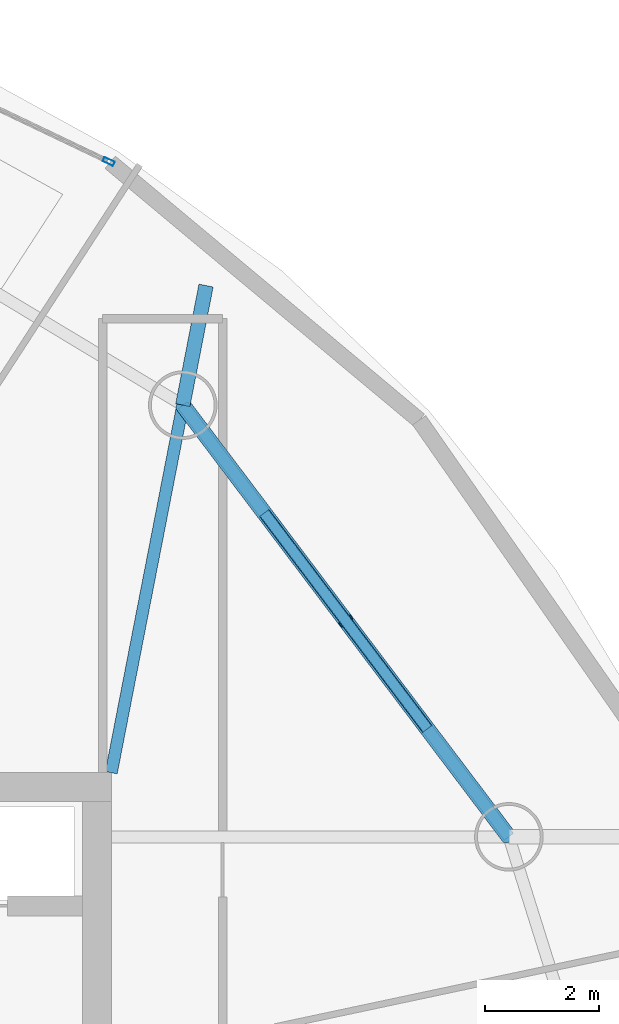
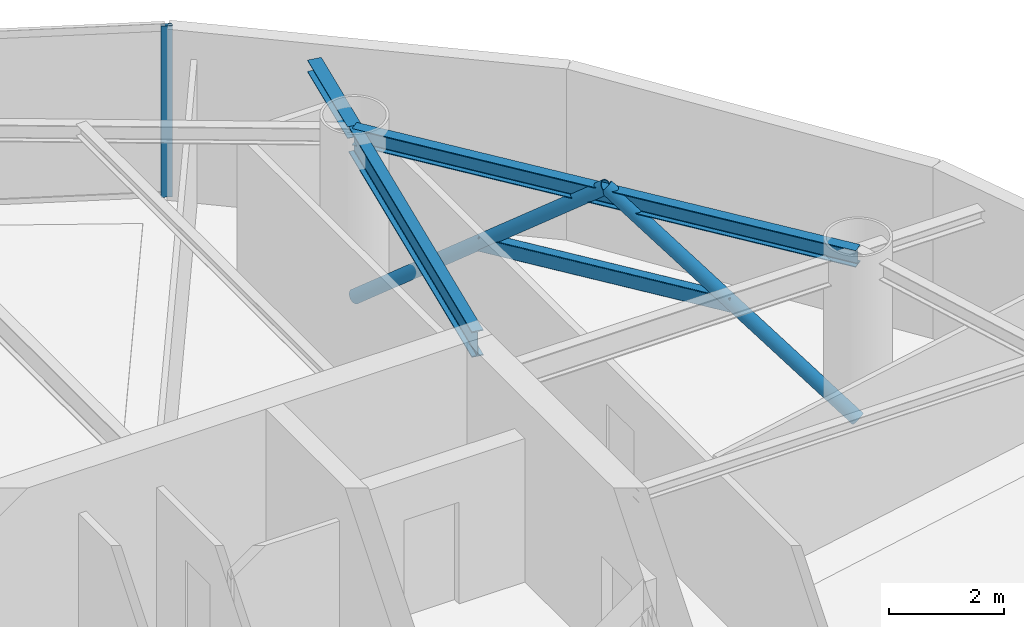
# One storey, part 14 of 22: 4 members, 3 beams, 1 element without a shape of its own.
"""IFC4 building model written with IfcOpenShell, lengths in metres."""

from ifc_helpers import new_model, si_unit, direction, frame, origin, origin_2d, place, context, subcontext, project, spatial, hollow_rectangle, hollow_circle, i_section, extrude, material, layer, layer_set, material_profile, profile_set, type_object, element, aggregate, save


model = new_model("IFC4")

# Units and contexts
model_context = context("Model", 3, precision=1e-05, world=origin(), true_north=direction((0.0, 1.0)))
body_context = subcontext(model_context, "Body", "Model", "MODEL_VIEW")
ifc_project = project(units=[si_unit("LENGTHUNIT", "METRE"), si_unit("AREAUNIT", "SQUARE_METRE"), si_unit("VOLUMEUNIT", "CUBIC_METRE"), si_unit("PLANEANGLEUNIT", "RADIAN"), si_unit("MASSUNIT", "GRAM", prefix="KILO")], contexts=[model_context])

# Site, building, storey
site_placement = place(None, origin())
site = spatial("IfcSite", under=ifc_project, at=site_placement, CompositionType="ELEMENT")
building_placement = place(site_placement, origin())
building = spatial("IfcBuilding", under=site, at=building_placement, Name="Bramvorn Convention Spire", CompositionType="ELEMENT")
storey_placement = place(building_placement, frame((0.0, 0.0, 221.25)))
storey = spatial("IfcBuildingStorey", under=building, at=storey_placement, Name="L56", CompositionType="ELEMENT", Elevation=221.25)

# Beams
ifc_material_1 = material(Name="Steel CSA G40.21 Grade 350 (350W)", Category="steel")
ifc_material_profile_1 = material_profile(ifc_material_1, i_section(OverallWidth=0.25390625, OverallDepth=0.2529296875, WebThickness=0.008544921875, FlangeThickness=0.01416015625, FilletRadius=0.011962890625, at=origin_2d()))
ifc_profile_set_1 = profile_set([ifc_material_profile_1], Name="Steel CSA G40.21 Grade 350 (350W) - W250X73")
beam_type_1 = type_object("IfcBeamType", Name="BM-W250X73", PredefinedType="BEAM", material=ifc_profile_set_1)
beam_1_placement = place(storey_placement, frame((50.501953125, 39.885009765625, 3.493408203125), z_axis=(0.190961587033, 0.981597510326, 0.0), x_axis=(-0.981597510326, 0.190961587033, 0.0)))
element("IfcBeam", 1, at=beam_1_placement, inside=storey, type_object=beam_type_1, Name="L56 slab-edge cantilever tip beam MC05", PredefinedType="BEAM", context=body_context, shape_type="SweptSolid", body=[
    extrude(i_section(OverallWidth=0.25390625, OverallDepth=0.2529296875, WebThickness=0.008544921875, FlangeThickness=0.01416015625, FilletRadius=0.011962890625, at=origin_2d()), origin(), (0.0, 0.0, 1.0), 2.132568359375),
])
ifc_material_profile_2 = material_profile(ifc_material_1, i_section(OverallWidth=0.205078125, OverallDepth=0.35400390625, WebThickness=0.009521484375, FlangeThickness=0.016845703125, FilletRadius=0.014892578125, at=origin_2d()))
ifc_profile_set_2 = profile_set([ifc_material_profile_2], Name="Steel CSA G40.21 Grade 350 (350W) - W360X79")
beam_type_2 = type_object("IfcBeamType", Name="BM-W360X79", PredefinedType="JOIST", material=ifc_profile_set_2)
beam_2_placement = place(storey_placement, frame((56.21044921875, 32.327392578125, 3.443115234375), z_axis=(-0.602718581414, 0.797953827999, 0.0), x_axis=(-0.797953827999, -0.602718581414, 0.0)))
element("IfcBeam", 2, at=beam_2_placement, inside=storey, type_object=beam_type_2, Name="L56 mega-column ring beam 04", PredefinedType="JOIST", context=body_context, shape_type="SweptSolid", body=[
    extrude(i_section(OverallWidth=0.205078125, OverallDepth=0.35400390625, WebThickness=0.009521484375, FlangeThickness=0.016845703125, FilletRadius=0.014892578125, at=origin_2d()), origin(), (0.0, 0.0, 1.0), 9.47119140625),
])
ifc_material_profile_3 = material_profile(ifc_material_1, i_section(OverallWidth=0.2119140625, OverallDepth=0.5439453125, WebThickness=0.01318359375, FlangeThickness=0.021240234375, FilletRadius=0.01904296875, at=origin_2d()))
ifc_profile_set_3 = profile_set([ifc_material_profile_3], Name="Steel CSA G40.21 Grade 350 (350W) - W530X123")
beam_type_3 = type_object("IfcBeamType", Name="BM-W530X123", PredefinedType="BEAM", material=ifc_profile_set_3)
beam_3_placement = place(storey_placement, frame((49.25, 33.449951171875, 3.347900390625), z_axis=(0.190971329886, 0.981595614885, 0.0), x_axis=(-0.981595614885, 0.190971329886, 0.0)))
element("IfcBeam", 3, at=beam_3_placement, inside=storey, type_object=beam_type_3, Name="L56 radial floor girder MC05", PredefinedType="BEAM", context=body_context, shape_type="SweptSolid", body=[
    extrude(i_section(OverallWidth=0.2119140625, OverallDepth=0.5439453125, WebThickness=0.01318359375, FlangeThickness=0.021240234375, FilletRadius=0.01904296875, at=origin_2d()), origin(), (0.0, 0.0, 1.0), 6.5556640625),
])

# Curtain wall, member
ifc_material_2 = material(Name="Anodised Bronze Unitised Curtain Wall", Category="aluminium")
ifc_layer = layer(ifc_material_2, 0.179931640625)
ifc_layer_set = layer_set([ifc_layer], Name="Anodised Bronze Unitised Curtain Wall - CW-OFF-FRIT")
curtain_wall_type = type_object("IfcCurtainWallType", Name="CW-OFF-FRIT", PredefinedType="USERDEFINED", material=ifc_layer_set)
curtain_wall_placement = place(storey_placement, origin())
curtain_wall = element("IfcCurtainWall", 4, at=curtain_wall_placement, inside=storey, type_object=curtain_wall_type, Name="L56 fritted glass curtain wall 08", ObjectType="UNITISED CURTAIN WALL", PredefinedType="USERDEFINED")
ifc_material_3 = material(Name="Anodised Bronze Aluminium 6063-T6", Category="aluminium")
ifc_material_profile_4 = material_profile(ifc_material_3, hollow_rectangle(XDim=0.080078125, YDim=0.199951171875, WallThickness=0.00390625, InnerFilletRadius=0.0009765625, OuterFilletRadius=0.00390625, at=origin_2d()))
ifc_profile_set_4 = profile_set([ifc_material_profile_4], Name="Anodised Bronze Aluminium 6063-T6 - CWM80X200")
member_type_1 = type_object("IfcMemberType", Name="CW-MUL-180", PredefinedType="MULLION", material=ifc_profile_set_4)
member_1_placement = place(storey_placement, frame((49.20458984375, 44.1484375, 0.0), z_axis=(0.0, 0.0, 1.0), x_axis=(0.430659156923, 0.90251464839, 0.0)))
member_1 = element("IfcMember", 5, at=member_1_placement, type_object=member_type_1, Name="CW3 mullion 2", PredefinedType="MULLION", context=body_context, shape_type="SweptSolid", body=[
    extrude(hollow_rectangle(XDim=0.080078125, YDim=0.199951171875, WallThickness=0.00390625, InnerFilletRadius=0.0009765625, OuterFilletRadius=0.00390625, at=origin_2d()), origin(), (0.0, 0.0, 1.0), 3.6201171875),
])
aggregate(curtain_wall, [member_1])

# Members
ifc_material_profile_5 = material_profile(ifc_material_1, hollow_circle(Radius=0.136474609375, WallThickness=0.0126953125, at=origin_2d()))
ifc_profile_set_5 = profile_set([ifc_material_profile_5], Name="Steel CSA G40.21 Grade 350 (350W) - CHS273X13")
member_type_2 = type_object("IfcMemberType", Name="MBR-CHS273X13", PredefinedType="BRACE", material=ifc_profile_set_5)
for number, where, z_axis, x_axis, name in (
    (6, (56.21044921875, 32.327392578125, 0.0), (-0.478834801206, 0.633941070316, 0.607318658137), (-0.797953827999, -0.602718581414, 0.0), "L56 perimeter Gothic lancet brace 4A"),
    (7, (50.501953125, 39.885009765625, 0.0), (0.478834801206, -0.633941070316, 0.607318658137), (0.797953827999, 0.602718581414, 0.0), "L56 perimeter Gothic lancet brace 4B"),
):
    element("IfcMember", number, at=place(storey_placement, frame(where, z_axis=z_axis, x_axis=x_axis)), inside=storey, type_object=member_type_2, Name=name, PredefinedType="BRACE", context=body_context, shape_type="SweptSolid", body=[
        extrude(hollow_circle(Radius=0.136474609375, WallThickness=0.0126953125, at=origin_2d()), origin(), (0.0, 0.0, 1.0), 5.9609375),
    ])
ifc_material_profile_6 = material_profile(ifc_material_1, hollow_rectangle(XDim=0.203125, YDim=0.3046875, WallThickness=0.0126953125, InnerFilletRadius=0.0126953125, OuterFilletRadius=0.025390625, at=origin_2d()))
ifc_profile_set_6 = profile_set([ifc_material_profile_6], Name="Steel CSA G40.21 Grade 350 (350W) - HSS305X203X13")
member_type_3 = type_object("IfcMemberType", Name="MBR-HSS305X203X13", PredefinedType="BRACE", material=ifc_profile_set_6)
member_2_placement = place(storey_placement, frame((54.783203125, 34.216796875, 1.81005859375), z_axis=(-0.602685753848, 0.797978622589, 0.0), x_axis=(-0.797978622589, -0.602685753848, 0.0)))
element("IfcMember", 8, at=member_2_placement, inside=storey, type_object=member_type_3, Name="L56 lancet mid-height collar tie 4", PredefinedType="BRACE", context=body_context, shape_type="SweptSolid", body=[
    extrude(hollow_rectangle(XDim=0.203125, YDim=0.3046875, WallThickness=0.0126953125, InnerFilletRadius=0.0126953125, OuterFilletRadius=0.025390625, at=origin_2d()), origin(), (0.0, 0.0, 1.0), 4.735595703125),
])

save(model, "model.ifc")
